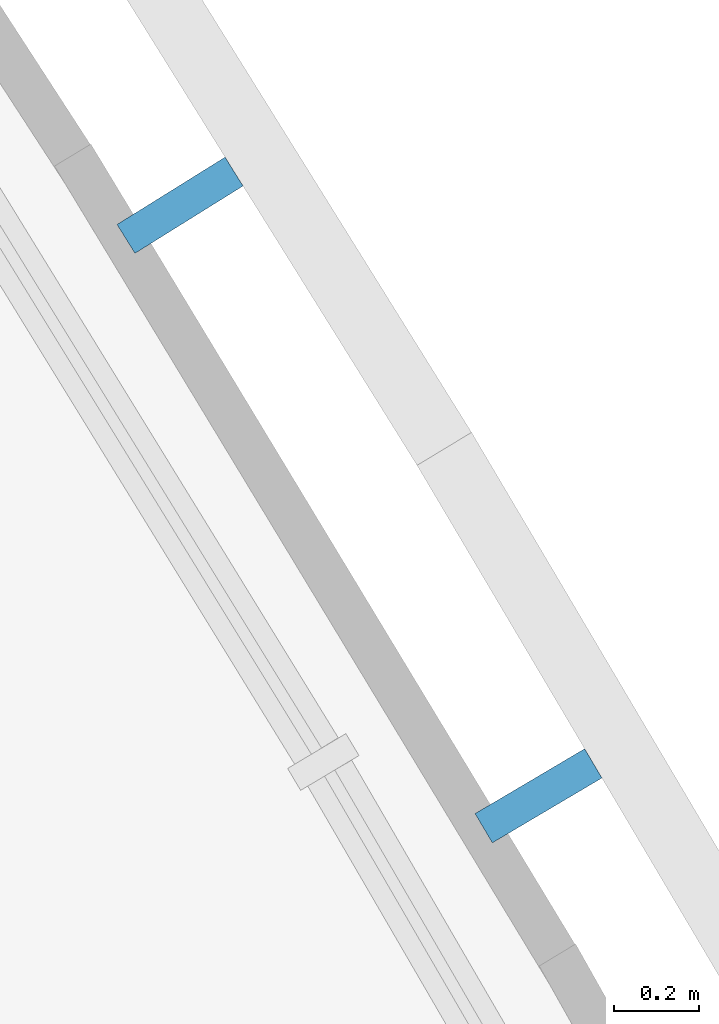
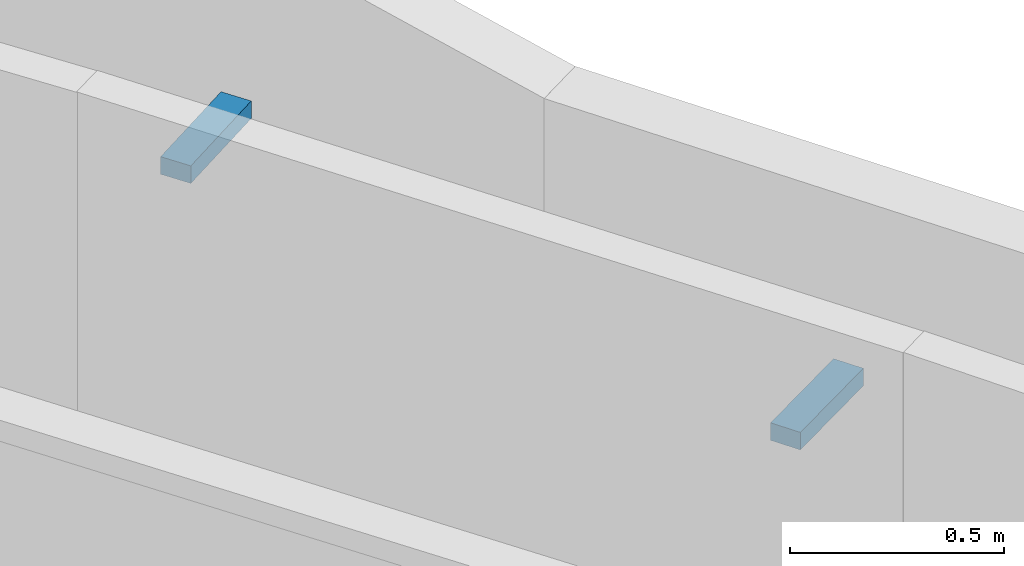
# One storey, part 110 of 136: 2 discrete accessories.
"""IFC4 building model written with IfcOpenShell, lengths in metres."""

import ifcopenshell
import ifcopenshell.guid

model = None  # the IFC model being written
_history = None  # IfcOwnerHistory: only IFC2X3 demands one
_inside = {}  # id of a spatial element -> (the spatial element, [elements in it])
_under = {}  # id of a project, library or spatial element -> (it, [spatial elements below it])
_declared = {}  # id of a project -> (the project, [libraries it declares])
_typed = {}  # id of a type object -> (the type object, [elements of that type])
_made_of = {}  # id of a material, layer set ... -> (it, [elements and type objects made of it])


def new_model(schema):
    """Start an empty IFC model of exactly this schema.

    Asked for "IFC4X3", IfcOpenShell would pick the latest addendum, in which some entities
    have other attributes; the version numbers below select the first issue.
    IFC2X3 requires an IfcOwnerHistory on every rooted entity: one is made here for all.
    """
    global model, _history
    if schema == "IFC4X3":
        model = ifcopenshell.file(schema_version=(4, 3, 0, 0))
    else:
        model = ifcopenshell.file(schema=schema)
    _inside.clear()
    _under.clear()
    _declared.clear()
    _typed.clear()
    _made_of.clear()
    _history = None
    if model.schema == "IFC2X3":
        org = make("IfcOrganization", Name="unknown")
        user = make(
            "IfcPersonAndOrganization",
            ThePerson=make("IfcPerson", FamilyName="unknown"),
            TheOrganization=org,
        )
        app = make(
            "IfcApplication",
            ApplicationDeveloper=org,
            Version="unknown",
            ApplicationFullName="unknown",
            ApplicationIdentifier="unknown",
        )
        _history = make(
            "IfcOwnerHistory",
            OwningUser=user,
            OwningApplication=app,
            ChangeAction="ADDED",
            CreationDate=0,
        )
    return model


def make(cls, **values):
    """One entity of the class cls with the attributes given. An attribute that is None is left unset."""
    return model.create_entity(
        cls, **{name: value for name, value in values.items() if value is not None}
    )


def rooted(cls, **values):
    """An entity with a GlobalId (a new one), such as an element, a storey or a relation."""
    return make(cls, GlobalId=ifcopenshell.guid.new(), OwnerHistory=_history, **values)


def si_unit(unit_type, name, prefix=None):
    """IfcSIUnit, for example si_unit("LENGTHUNIT", "METRE", prefix="MILLI")."""
    return make("IfcSIUnit", UnitType=unit_type, Prefix=prefix, Name=name)


def assignment(units):
    """IfcUnitAssignment: the units of a project."""
    return None if units is None else make("IfcUnitAssignment", Units=units)


def point(xyz):
    """IfcCartesianPoint."""
    return None if xyz is None else make("IfcCartesianPoint", Coordinates=xyz)


def direction(xyz):
    """IfcDirection."""
    return None if xyz is None else make("IfcDirection", DirectionRatios=xyz)


def frame(location, z_axis=None, x_axis=None):
    """IfcAxis2Placement3D, a coordinate frame: its origin and axes. An axis left out is left unset."""
    return make(
        "IfcAxis2Placement3D",
        Location=point(location),
        Axis=direction(z_axis),
        RefDirection=direction(x_axis),
    )


def frame_2d(location, x_axis=None):
    """IfcAxis2Placement2D, a coordinate frame in the plane: its origin and x axis."""
    return make(
        "IfcAxis2Placement2D", Location=point(location), RefDirection=direction(x_axis)
    )


def origin():
    """The frame at (0, 0, 0) with its axes left unset."""
    return frame((0.0, 0.0, 0.0))


def origin_2d():
    """The frame at (0, 0) in the plane with its x axis left unset."""
    return frame_2d((0.0, 0.0))


def place(relative_to, where):
    """IfcLocalPlacement: puts the frame where relative to a parent placement (None: the world)."""
    return make(
        "IfcLocalPlacement", PlacementRelTo=relative_to, RelativePlacement=where
    )


def context(
    kind, dimensions, precision=None, world=None, true_north=None, identifier=None
):
    """IfcGeometricRepresentationContext, for example the 3D "Model" context."""
    return make(
        "IfcGeometricRepresentationContext",
        ContextIdentifier=identifier,
        ContextType=kind,
        CoordinateSpaceDimension=dimensions,
        Precision=precision,
        WorldCoordinateSystem=world,
        TrueNorth=true_north,
    )


def subcontext(parent, identifier, kind, view, scale=None):
    """IfcGeometricRepresentationSubContext, for example "Body" below "Model"."""
    return make(
        "IfcGeometricRepresentationSubContext",
        ContextIdentifier=identifier,
        ContextType=kind,
        ParentContext=parent,
        TargetScale=scale,
        TargetView=view,
    )


def project(units=None, contexts=None):
    """IfcProject with its units and contexts."""
    return rooted(
        "IfcProject",
        Name="project",
        RepresentationContexts=contexts,
        UnitsInContext=assignment(units),
    )


def spatial(cls, under=None, at=None, **own):
    """A site, building, storey or space (cls), placed at a placement, below another one or the project."""
    s = rooted(cls, ObjectPlacement=at, **own)
    if under is not None:
        _under.setdefault(under.id(), (under, []))[1].append(s)
    return s


def profile(cls, at=None, kind="AREA", **sizes):
    """A parametric profile (cls). Its sizes go by their IFC names, for example OverallWidth=200.0."""
    return make(cls, ProfileType=kind, Position=at, **sizes)


def rectangle(**sizes):
    """IfcRectangleProfileDef."""
    return profile("IfcRectangleProfileDef", **sizes)


def extrude(swept, where, along, depth):
    """IfcExtrudedAreaSolid: the profile swept, set in the frame where, extruded along a direction by depth."""
    return make(
        "IfcExtrudedAreaSolid",
        SweptArea=swept,
        Position=where,
        ExtrudedDirection=direction(along),
        Depth=depth,
    )


def shape(context_of_items, identifier, shape_type, items):
    """IfcShapeRepresentation: the items that make up one representation, for example the "Body"."""
    return make(
        "IfcShapeRepresentation",
        ContextOfItems=context_of_items,
        RepresentationIdentifier=identifier,
        RepresentationType=shape_type,
        Items=items,
    )


def material(Name=None, Category=None):
    """IfcMaterial."""
    return make("IfcMaterial", Name=Name, Category=Category)


def material_profile(
    of_material, cross_section, Name=None, Category=None, Priority=None
):
    """IfcMaterialProfile: a cross section and its material."""
    return make(
        "IfcMaterialProfile",
        Name=Name,
        Material=of_material,
        Profile=cross_section,
        Priority=Priority,
        Category=Category,
    )


def profile_set(profiles, Name=None, composite=None):
    """IfcMaterialProfileSet."""
    return make(
        "IfcMaterialProfileSet",
        Name=Name,
        MaterialProfiles=profiles,
        CompositeProfile=composite,
    )


def made_of(thing, what):
    """Note that an element or type object is made of a material, layer set ...; save() writes the relation."""
    if what is not None:
        _made_of.setdefault(what.id(), (what, []))[1].append(thing)
    return thing


def type_object(cls, material=None, **own):
    """A type object (cls), such as IfcWallType, which elements share."""
    return made_of(rooted(cls, **own), material)


def element(
    cls,
    number,
    at=None,
    inside=None,
    cuts=None,
    type_object=None,
    material=None,
    context=None,
    identifier="Body",
    shape_type=None,
    held_by="IfcProductDefinitionShape",
    body=None,
    shapes=None,
    **own,
):
    """One element of the class cls, such as IfcWall. Its Tag is "e" and its number.

    at: its placement. inside: the storey or other place that contains it. cuts: it is an
    opening in that element (IfcRelVoidsElement). A single representation is given by context,
    identifier, shape_type and body (its items); several are given by shapes. held_by: the class
    of the entity that holds the representations. save() writes the other relations.
    """
    e = rooted(cls, Tag="e%d" % number, ObjectPlacement=at, **own)
    if body is not None:
        shapes = [shape(context, identifier, shape_type, body)]
    if shapes is not None:
        e.Representation = make(held_by, Representations=shapes)
    if inside is not None:
        _inside.setdefault(inside.id(), (inside, []))[1].append(e)
    if cuts is not None:
        rooted(
            "IfcRelVoidsElement", RelatingBuildingElement=cuts, RelatedOpeningElement=e
        )
    if type_object is not None:
        _typed.setdefault(type_object.id(), (type_object, []))[1].append(e)
    return made_of(e, material)


def aggregate(whole, parts):
    """IfcRelAggregates: a whole, such as a stair, and the parts it consists of."""
    return rooted("IfcRelAggregates", RelatingObject=whole, RelatedObjects=parts)


def save(model, path):
    """Write the relations noted so far, then the file.

    IfcRelAggregates (storeys below a building ...), IfcRelContainedInSpatialStructure (elements
    in a storey), IfcRelDefinesByType, IfcRelAssociatesMaterial and IfcRelDeclares: one each for
    every whole, place, type object, material and project.
    """
    for whole, parts in _under.values():
        aggregate(whole, parts)
    for where, things in _inside.values():
        rooted(
            "IfcRelContainedInSpatialStructure",
            RelatedElements=things,
            RelatingStructure=where,
        )
    for kind, things in _typed.values():
        rooted("IfcRelDefinesByType", RelatedObjects=things, RelatingType=kind)
    for what, things in _made_of.values():
        rooted("IfcRelAssociatesMaterial", RelatedObjects=things, RelatingMaterial=what)
    for by, libraries in _declared.values():
        rooted("IfcRelDeclares", RelatingContext=by, RelatedDefinitions=libraries)
    model.write(path)


model = new_model("IFC4")

# Units and contexts
model_context = context("Model", 3, precision=1e-05, world=origin(), true_north=direction((0.0, 1.0)))
body_context = subcontext(model_context, "Body", "Model", "MODEL_VIEW")
ifc_project = project(units=[si_unit("LENGTHUNIT", "METRE"), si_unit("AREAUNIT", "SQUARE_METRE"), si_unit("VOLUMEUNIT", "CUBIC_METRE"), si_unit("PLANEANGLEUNIT", "RADIAN"), si_unit("MASSUNIT", "GRAM", prefix="KILO")], contexts=[model_context])

# Site, building, storey
site_placement = place(None, origin())
site = spatial("IfcSite", under=ifc_project, at=site_placement, CompositionType="ELEMENT")
building_placement = place(site_placement, origin())
building = spatial("IfcBuilding", under=site, at=building_placement, Name="Bougainvillea Quay General Hospital", CompositionType="ELEMENT")
storey_placement = place(building_placement, frame((0.0, 0.0, 5.39990234375)))
storey = spatial("IfcBuildingStorey", under=building, at=storey_placement, Name="L01", CompositionType="ELEMENT", Elevation=5.39990234375)

# Discrete accessories
ifc_material = material(Name="Stainless steel bracket, grade 316", Category="steel")
ifc_material_profile = material_profile(ifc_material, rectangle(XDim=0.080078125, YDim=0.050048828125, at=origin_2d()))
ifc_profile_set = profile_set([ifc_material_profile], Name="Stainless steel bracket, grade 316")
discrete_accessory_type = type_object("IfcDiscreteAccessoryType", Name="Stainless steel stand-off bracket 80x50", PredefinedType="BRACKET", material=ifc_profile_set)
for number, where, z_axis, x_axis, name in (
    (1, (169.450439453125, 57.626953125, 3.759765625), (0.860634888631, 0.509222533349, 0.0), (-0.509222533349, 0.860634888631, 0.0), "Fascia bracket a23 19"),
    (2, (168.607666015625, 59.015380859375, 3.97216796875), (0.84868329185, 0.528901380348, 0.0), (-0.528901380348, 0.84868329185, 0.0), "Fascia bracket a23 20"),
):
    element("IfcDiscreteAccessory", number, at=place(storey_placement, frame(where, z_axis=z_axis, x_axis=x_axis)), inside=storey, type_object=discrete_accessory_type, Name=name, PredefinedType="BRACKET", context=body_context, shape_type="SweptSolid", body=[
        extrude(rectangle(XDim=0.080078125, YDim=0.050048828125, at=origin_2d()), origin(), (0.0, 0.0, 1.0), 0.300048828125),
    ])

save(model, "model.ifc")
